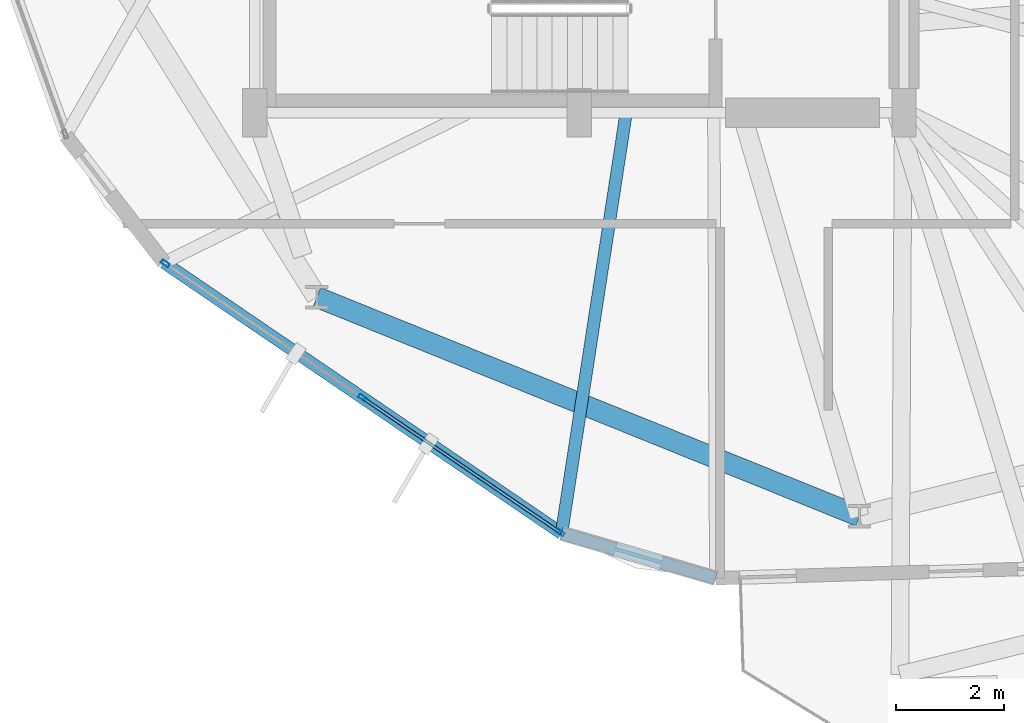
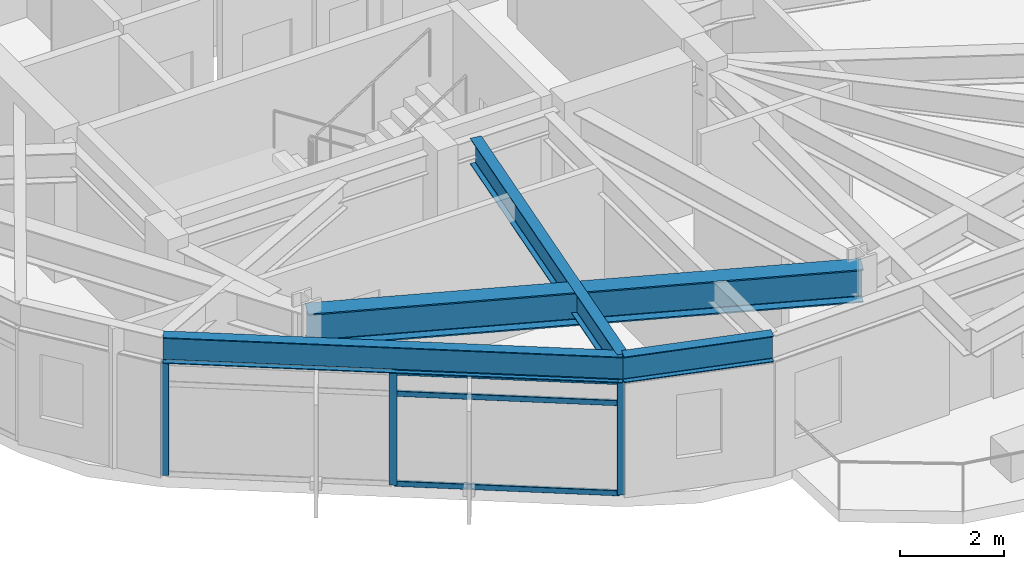
# One storey, part 2 of 23: 6 members, 4 beams, 1 element without a shape of its own.
"""IFC4 building model written with IfcOpenShell, lengths in metres."""

from ifc_helpers import new_model, si_unit, direction, frame, origin, origin_2d, place, context, subcontext, project, spatial, hollow_rectangle, i_section, extrude, material, layer, layer_set, material_profile, profile_set, type_object, element, aggregate, save


model = new_model("IFC4")

# Units and contexts
model_context = context("Model", 3, precision=1e-05, world=origin(), true_north=direction((0.0, 1.0)))
body_context = subcontext(model_context, "Body", "Model", "MODEL_VIEW")
ifc_project = project(units=[si_unit("LENGTHUNIT", "METRE"), si_unit("AREAUNIT", "SQUARE_METRE"), si_unit("VOLUMEUNIT", "CUBIC_METRE"), si_unit("PLANEANGLEUNIT", "RADIAN"), si_unit("MASSUNIT", "GRAM", prefix="KILO")], contexts=[model_context])

# Site, building, storey
site_placement = place(None, origin())
site = spatial("IfcSite", under=ifc_project, at=site_placement, CompositionType="ELEMENT")
building_placement = place(site_placement, origin())
building = spatial("IfcBuilding", under=site, at=building_placement, Name="Soratama Intermodal Tower", CompositionType="ELEMENT")
storey_placement = place(building_placement, frame((0.0, 0.0, 171.39990234375)))
storey = spatial("IfcBuildingStorey", under=building, at=storey_placement, Name="L42", CompositionType="ELEMENT", Elevation=171.39990234375)

# Beams
ifc_material_1 = material(Name="Structural steel ASTM A992 Grade 50", Category="steel")
ifc_material_profile_1 = material_profile(ifc_material_1, i_section(OverallWidth=0.382080078125, OverallDepth=0.779052734375, WebThickness=0.01806640625, FlangeThickness=0.030029296875, FilletRadius=0.01806640625, at=origin_2d()), Name="W30X191")
ifc_profile_set_1 = profile_set([ifc_material_profile_1], Name="Structural steel ASTM A992 Grade 50")
beam_type_1 = type_object("IfcBeamType", Name="BM-RING-W30X191", PredefinedType="BEAM", material=ifc_profile_set_1)
beam_1_placement = place(storey_placement, frame((33.7509765625, 11.593994140625, 2.91064453125), z_axis=(0.927202491827, -0.374560461275, 0.0), x_axis=(0.374560461275, 0.927202491827, 0.0)))
element("IfcBeam", 1, at=beam_1_placement, inside=storey, type_object=beam_type_1, Name="BM-L42-RING-07", PredefinedType="BEAM", context=body_context, shape_type="SweptSolid", body=[
    extrude(i_section(OverallWidth=0.382080078125, OverallDepth=0.779052734375, WebThickness=0.01806640625, FlangeThickness=0.030029296875, FilletRadius=0.01806640625, at=origin_2d()), origin(), (0.0, 0.0, 1.0), 10.8154296875),
])
ifc_material_2 = material(Name="Structural steel ASTM A992 Grade 50", Category="steel")
ifc_material_profile_2 = material_profile(ifc_material_2, i_section(OverallWidth=0.22900390625, OverallDepth=0.612060546875, WebThickness=0.011962890625, FlangeThickness=0.01953125, FilletRadius=0.012939453125, at=origin_2d()), Name="W24X84")
ifc_profile_set_2 = profile_set([ifc_material_profile_2], Name="Structural steel ASTM A992 Grade 50")
beam_type_2 = type_object("IfcBeamType", Name="BM-SPN-W24X84", PredefinedType="SPANDREL", material=ifc_profile_set_2)
beam_2_placement = place(storey_placement, frame((30.927001953125, 12.23193359375, 2.994140625), z_axis=(0.826489378595, -0.562952313318, 0.0), x_axis=(0.562952313318, 0.826489378595, 0.0)))
element("IfcBeam", 2, at=beam_2_placement, inside=storey, type_object=beam_type_2, Name="BS-L42-F06", PredefinedType="SPANDREL", context=body_context, shape_type="SweptSolid", body=[
    extrude(i_section(OverallWidth=0.22900390625, OverallDepth=0.612060546875, WebThickness=0.011962890625, FlangeThickness=0.01953125, FilletRadius=0.012939453125, at=origin_2d()), origin(), (0.0, 0.0, 1.0), 8.886962890625),
])
beam_3_placement = place(storey_placement, frame((38.27197265625, 7.22900390625, 2.994140625), z_axis=(0.959968658821, -0.280107433107, 0.0), x_axis=(0.280107433107, 0.959968658821, 0.0)))
element("IfcBeam", 3, at=beam_3_placement, inside=storey, type_object=beam_type_2, Name="BS-L42-CRN06", PredefinedType="SPANDREL", context=body_context, shape_type="SweptSolid", body=[
    extrude(i_section(OverallWidth=0.22900390625, OverallDepth=0.612060546875, WebThickness=0.011962890625, FlangeThickness=0.01953125, FilletRadius=0.012939453125, at=origin_2d()), origin(), (0.0, 0.0, 1.0), 2.966796875),
])
ifc_material_3 = material(Name="Structural steel ASTM A992 Grade 50", Category="steel")
ifc_material_profile_3 = material_profile(ifc_material_3, i_section(OverallWidth=0.22900390625, OverallDepth=0.612060546875, WebThickness=0.011962890625, FlangeThickness=0.01953125, FilletRadius=0.012939453125, at=origin_2d()), Name="W24X84")
ifc_profile_set_3 = profile_set([ifc_material_profile_3], Name="Structural steel ASTM A992 Grade 50")
beam_type_3 = type_object("IfcBeamType", Name="BM-TIE-W24X84", PredefinedType="BEAM", material=ifc_profile_set_3)
beam_4_placement = place(storey_placement, frame((39.4599609375, 14.9599609375, 2.994140625), z_axis=(-0.151883614657, -0.988398385065, 0.0), x_axis=(0.988398385065, -0.151883614657, 0.0)))
element("IfcBeam", 4, at=beam_4_placement, inside=storey, type_object=beam_type_3, Name="BM-L42-TIE1-06", PredefinedType="BEAM", context=body_context, shape_type="SweptSolid", body=[
    extrude(i_section(OverallWidth=0.22900390625, OverallDepth=0.612060546875, WebThickness=0.011962890625, FlangeThickness=0.01953125, FilletRadius=0.012939453125, at=origin_2d()), origin(), (0.0, 0.0, 1.0), 7.82177734375),
])

# Curtain wall, members
ifc_material_4 = material(Name="Double-glazed aluminium curtain wall", Category="aluminium")
ifc_layer = layer(ifc_material_4, 0.159912109375)
ifc_layer_set = layer_set([ifc_layer], Name="Double-glazed aluminium curtain wall")
curtain_wall_type = type_object("IfcCurtainWallType", Name="CW-SYS-4", PredefinedType="NOTDEFINED", material=ifc_layer_set)
curtain_wall_placement = place(storey_placement, origin())
curtain_wall = element("IfcCurtainWall", 5, at=curtain_wall_placement, inside=storey, type_object=curtain_wall_type, Name="L42 Faceted Curtain Wall F06", PredefinedType="NOTDEFINED")
ifc_material_5 = material(Name="Anodised aluminium AA 6063-T6", Category="aluminium")
ifc_material_profile_4 = material_profile(ifc_material_5, hollow_rectangle(XDim=0.070068359375, YDim=0.159912109375, WallThickness=0.0048828125, InnerFilletRadius=0.0048828125, OuterFilletRadius=0.010009765625, at=origin_2d()), Name="CWM160X70X5")
ifc_profile_set_4 = profile_set([ifc_material_profile_4], Name="Anodised aluminium AA 6063-T6")
member_type_1 = type_object("IfcMemberType", Name="MT-CWM-4", PredefinedType="MULLION", material=ifc_profile_set_4)
member_1_placement = place(storey_placement, frame((30.951904296875, 12.21484375, 0.0), z_axis=(0.0, 0.0, 1.0), x_axis=(0.562951282142, 0.826490080966, 0.0)))
member_1 = element("IfcMember", 6, at=member_1_placement, type_object=member_type_1, Name="CW-4 mullion 1", PredefinedType="MULLION", context=body_context, shape_type="SweptSolid", body=[
    extrude(hollow_rectangle(XDim=0.070068359375, YDim=0.159912109375, WallThickness=0.0048828125, InnerFilletRadius=0.0048828125, OuterFilletRadius=0.010009765625, at=origin_2d()), origin(), (0.0, 0.0, 1.0), 2.67919921875),
])
member_2_placement = place(storey_placement, frame((34.599365234375, 9.73046875, 0.0), z_axis=(0.0, 0.0, 1.0), x_axis=(0.562951282142, 0.826490080966, 0.0)))
member_2 = element("IfcMember", 7, at=member_2_placement, type_object=member_type_1, Name="CW-4 mullion 2", PredefinedType="MULLION", context=body_context, shape_type="SweptSolid", body=[
    extrude(hollow_rectangle(XDim=0.070068359375, YDim=0.159912109375, WallThickness=0.0048828125, InnerFilletRadius=0.0048828125, OuterFilletRadius=0.010009765625, at=origin_2d()), origin(), (0.0, 0.0, 1.0), 2.67919921875),
])
member_3_placement = place(storey_placement, frame((38.2470703125, 7.245849609375, 0.0), z_axis=(0.0, 0.0, 1.0), x_axis=(0.562951282142, 0.826490080966, 0.0)))
member_3 = element("IfcMember", 8, at=member_3_placement, type_object=member_type_1, Name="CW-4 mullion 3", PredefinedType="MULLION", context=body_context, shape_type="SweptSolid", body=[
    extrude(hollow_rectangle(XDim=0.070068359375, YDim=0.159912109375, WallThickness=0.0048828125, InnerFilletRadius=0.0048828125, OuterFilletRadius=0.010009765625, at=origin_2d()), origin(), (0.0, 0.0, 1.0), 2.67919921875),
])
ifc_material_6 = material(Name="Anodised aluminium AA 6063-T6", Category="aluminium")
ifc_material_profile_5 = material_profile(ifc_material_6, hollow_rectangle(XDim=0.06005859375, YDim=0.1298828125, WallThickness=0.0048828125, InnerFilletRadius=0.0048828125, OuterFilletRadius=0.010009765625, at=origin_2d()), Name="CWT130X60X5")
ifc_profile_set_5 = profile_set([ifc_material_profile_5], Name="Anodised aluminium AA 6063-T6")
member_type_2 = type_object("IfcMemberType", Name="TT-CWT-2", PredefinedType="USERDEFINED", material=ifc_profile_set_5)
member_4_placement = place(storey_placement, frame((34.624267578125, 9.713623046875, 0.030029296875), z_axis=(0.826461007112, -0.562993964199, 0.0), x_axis=(0.562993964199, 0.826461007112, 0.0)))
member_4 = element("IfcMember", 9, at=member_4_placement, type_object=member_type_2, Name="CW-4 transom 2.1", ObjectType="TRANSOM", PredefinedType="USERDEFINED", context=body_context, shape_type="SweptSolid", body=[
    extrude(hollow_rectangle(XDim=0.06005859375, YDim=0.1298828125, WallThickness=0.0048828125, InnerFilletRadius=0.0048828125, OuterFilletRadius=0.010009765625, at=origin_2d()), origin(), (0.0, 0.0, 1.0), 4.353271484375),
])
member_5_placement = place(storey_placement, frame((34.624267578125, 9.713623046875, 2.150146484375), z_axis=(0.826461007112, -0.562993964199, 0.0), x_axis=(0.562993964199, 0.826461007112, 0.0)))
member_5 = element("IfcMember", 10, at=member_5_placement, type_object=member_type_2, Name="CW-4 transom 2.2", ObjectType="TRANSOM", PredefinedType="USERDEFINED", context=body_context, shape_type="SweptSolid", body=[
    extrude(hollow_rectangle(XDim=0.06005859375, YDim=0.1298828125, WallThickness=0.0048828125, InnerFilletRadius=0.0048828125, OuterFilletRadius=0.010009765625, at=origin_2d()), origin(), (0.0, 0.0, 1.0), 4.353271484375),
])
member_6_placement = place(storey_placement, frame((34.624267578125, 9.713623046875, 2.649169921875), z_axis=(0.826461007112, -0.562993964199, 0.0), x_axis=(0.562993964199, 0.826461007112, 0.0)))
member_6 = element("IfcMember", 11, at=member_6_placement, type_object=member_type_2, Name="CW-4 transom 2.3", ObjectType="TRANSOM", PredefinedType="USERDEFINED", context=body_context, shape_type="SweptSolid", body=[
    extrude(hollow_rectangle(XDim=0.06005859375, YDim=0.1298828125, WallThickness=0.0048828125, InnerFilletRadius=0.0048828125, OuterFilletRadius=0.010009765625, at=origin_2d()), origin(), (0.0, 0.0, 1.0), 4.353271484375),
])
aggregate(curtain_wall, [member_1, member_2, member_3, member_4, member_5, member_6])

save(model, "model.ifc")
